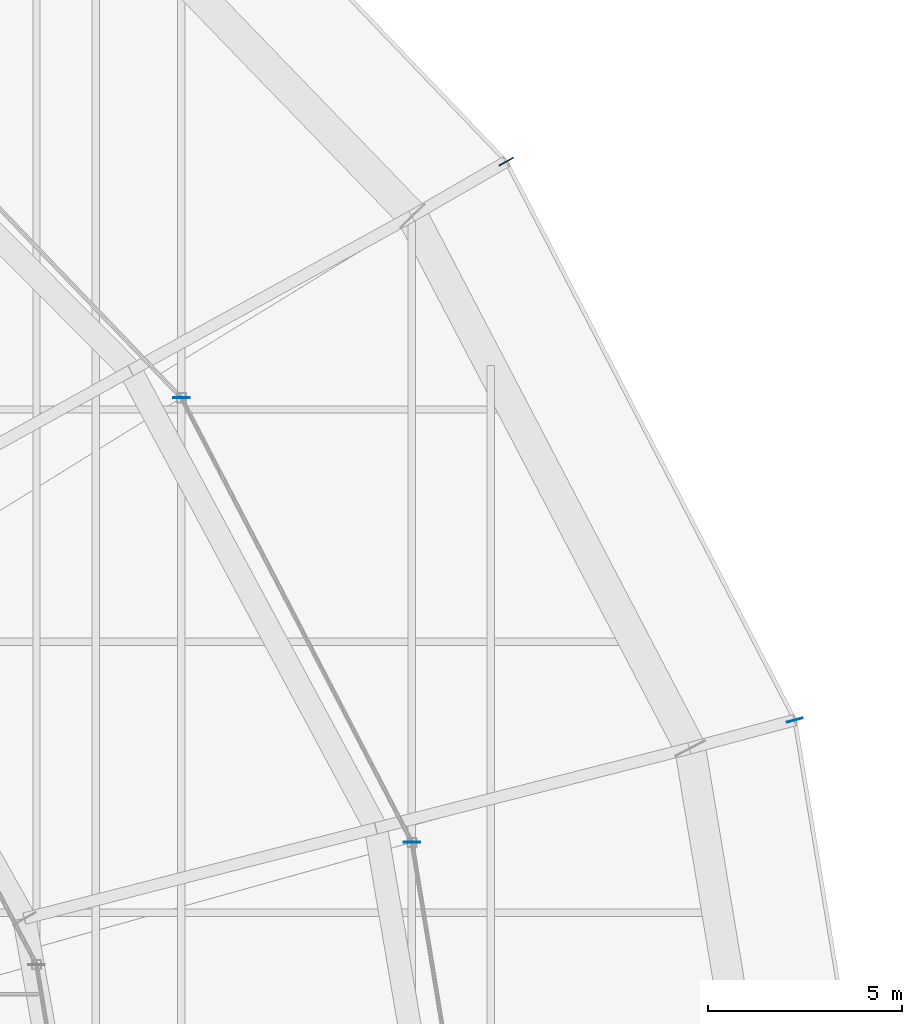
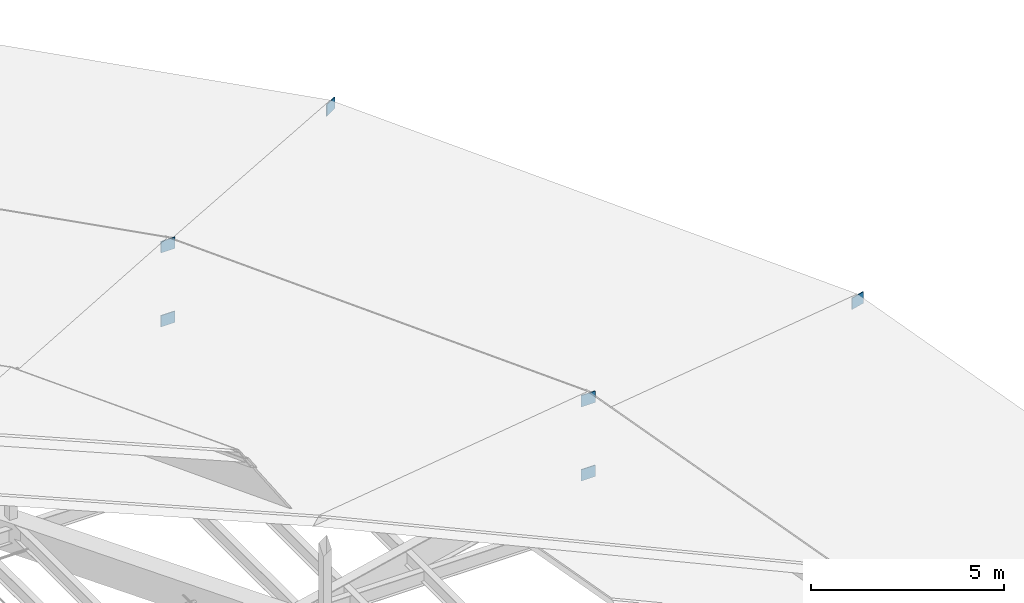
# One storey, part 182 of 184: 6 plates.
"""IFC4 building model written with IfcOpenShell, lengths in metres."""

from ifc_helpers import new_model, si_unit, direction, frame, origin, origin_2d, place, context, subcontext, project, spatial, rectangle, extrude, material, layer, layer_set, type_object, element, save


model = new_model("IFC4")

# Units and contexts
model_context = context("Model", 3, precision=1e-05, world=origin(), true_north=direction((0.0, 1.0)))
body_context = subcontext(model_context, "Body", "Model", "MODEL_VIEW")
ifc_project = project(units=[si_unit("LENGTHUNIT", "METRE"), si_unit("AREAUNIT", "SQUARE_METRE"), si_unit("VOLUMEUNIT", "CUBIC_METRE"), si_unit("PLANEANGLEUNIT", "RADIAN"), si_unit("MASSUNIT", "GRAM", prefix="KILO")], contexts=[model_context])

# Site, building, storey
site_placement = place(None, origin())
site = spatial("IfcSite", under=ifc_project, at=site_placement, CompositionType="ELEMENT")
building_placement = place(site_placement, origin())
building = spatial("IfcBuilding", under=site, at=building_placement, Name="Kalgoora Escarpment Arena", CompositionType="ELEMENT")
storey_placement = place(building_placement, frame((0.0, 0.0, 27.60009765625)))
storey = spatial("IfcBuildingStorey", under=building, at=storey_placement, Name="Roof Level", CompositionType="ELEMENT", Elevation=27.60009765625)

# Plates
ifc_material = material(Name="Structural steel Grade 350 (350 MPa)", Category="steel")
ifc_layer = layer(ifc_material, 0.02490234375)
ifc_layer_set = layer_set([ifc_layer], Name="PLT-GUSSET-25")
plate_type = type_object("IfcPlateType", Name="PLT-GUSSET-25", PredefinedType="USERDEFINED", material=ifc_layer_set)
for number, where, z_axis, x_axis, name in (
    (1, (164.4580078125, 79.477294921875, -1.18017578125), (0.0, 0.0, 1.0), (0.965925826289, 0.258819045103, 0.0), "Brace and post end gusset plate 156"),
    (2, (157.005615234375, 93.89990234375, -1.18017578125), (0.0, 0.0, 1.0), (0.866025403784, 0.5, 0.0), "Brace and post end gusset plate 157"),
    (3, (154.569091796875, 76.31982421875, -1.26025390625), (0.0, 0.0, 1.0), (1.0, 0.0, 0.0), "Brace and post end gusset plate 181"),
    (4, (154.569091796875, 76.31982421875, 1.0849609375), (0.0, 0.0, 1.0), (1.0, 0.0, 0.0), "Brace and post end gusset plate 182"),
    (5, (148.614990234375, 87.800048828125, -1.26025390625), (0.0, 0.0, 1.0), (1.0, 0.0, 0.0), "Brace and post end gusset plate 183"),
    (6, (148.614990234375, 87.800048828125, 1.0849609375), (0.0, 0.0, 1.0), (1.0, 0.0, 0.0), "Brace and post end gusset plate 184"),
):
    element("IfcPlate", number, at=place(storey_placement, frame(where, z_axis=z_axis, x_axis=x_axis)), inside=storey, type_object=plate_type, Name=name, ObjectType="FLANGE PLATE", PredefinedType="USERDEFINED", context=body_context, shape_type="SweptSolid", body=[
        extrude(rectangle(XDim=0.419921875, YDim=0.02490234375, at=origin_2d()), origin(), (0.0, 0.0, 1.0), 0.360107421875),
    ])

save(model, "model.ifc")
